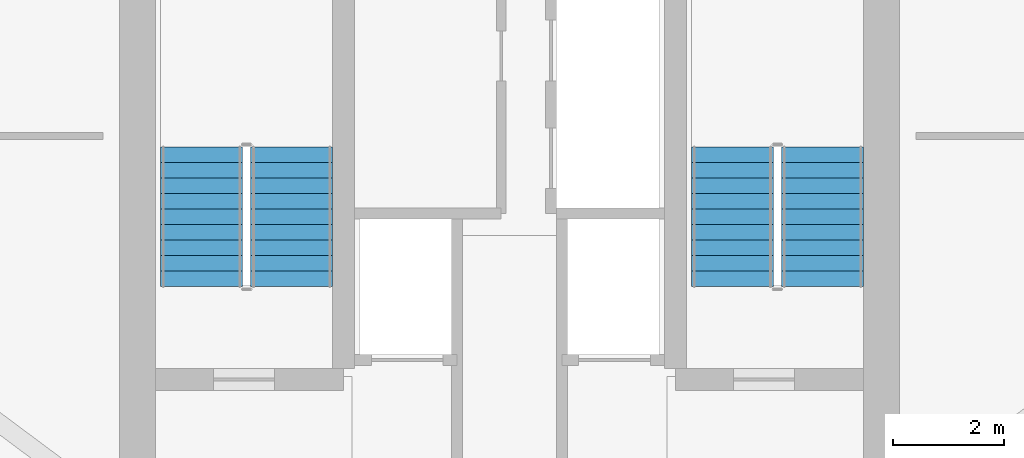
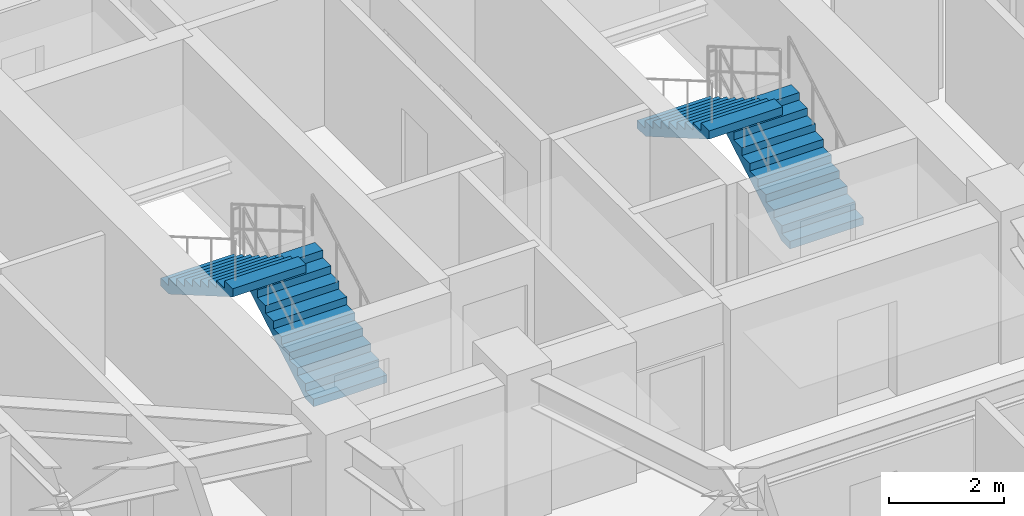
# One storey, part 31 of 33: 4 stair flights, 2 elements without a shape of their own.
"""IFC4 building model written with IfcOpenShell, lengths in metres."""

from ifc_helpers import new_model, si_unit, direction, frame, origin, place, context, subcontext, project, spatial, polyline, outline, extrude, material, type_object, element, aggregate, save


model = new_model("IFC4")

# Units and contexts
model_context = context("Model", 3, precision=1e-05, world=origin(), true_north=direction((0.0, 1.0)))
body_context = subcontext(model_context, "Body", "Model", "MODEL_VIEW")
ifc_project = project(units=[si_unit("LENGTHUNIT", "METRE"), si_unit("AREAUNIT", "SQUARE_METRE"), si_unit("VOLUMEUNIT", "CUBIC_METRE"), si_unit("PLANEANGLEUNIT", "RADIAN"), si_unit("MASSUNIT", "GRAM", prefix="KILO")], contexts=[model_context])

# Site, building, storey
site_placement = place(None, origin())
site = spatial("IfcSite", under=ifc_project, at=site_placement, CompositionType="ELEMENT")
building_placement = place(site_placement, origin())
building = spatial("IfcBuilding", under=site, at=building_placement, Name="Veraguas Prism Commons", CompositionType="ELEMENT")
storey_placement = place(building_placement, frame((0.0, 0.0, 139.25)))
storey = spatial("IfcBuildingStorey", under=building, at=storey_placement, Name="L39", CompositionType="ELEMENT", Elevation=139.25)

# Stair, stair flights
ifc_material = material(Name="Precast concrete C45/55", Category="concrete")
stair_type = type_object("IfcStairType", Name="Dogleg Core Stair 1480W 20R 05", PredefinedType="HALF_TURN_STAIR", material=ifc_material)
stair_1_placement = place(storey_placement, origin())
stair_1 = element("IfcStair", 1, at=stair_1_placement, inside=storey, type_object=stair_type, Name="Protected Exit Stair ST-01 L39", PredefinedType="HALF_TURN_STAIR")
stair_flight_type = type_object("IfcStairFlightType", Name="Precast Stair Flight 1480W 10R 05", PredefinedType="STRAIGHT", material=ifc_material)
stair_flight_1_placement = place(storey_placement, frame((20.06005859375, 21.280029296875, 0.0), z_axis=(0.0, 0.0, 1.0), x_axis=(0.0, 1.0, 0.0)))
stair_flight_1 = element("IfcStairFlight", 2, at=stair_flight_1_placement, type_object=stair_flight_type, Name="ST-05 Flight 1", NumberOfRisers=10, NumberOfTreads=9, PredefinedType="STRAIGHT", RiserHeight=0.1625, TreadLength=0.28, context=body_context, shape_type="SweptSolid", body=[
    extrude(outline(polyline([(0.0, 0.0), (0.0, 0.16259765625), (0.280029296875, 0.16259765625), (0.280029296875, 0.324951171875), (0.56005859375, 0.324951171875), (0.56005859375, 0.487548828125), (0.840087890625, 0.487548828125), (0.840087890625, 0.64990234375), (1.1201171875, 0.64990234375), (1.1201171875, 0.8125), (1.39990234375, 0.8125), (1.39990234375, 0.97509765625), (1.679931640625, 0.97509765625), (1.679931640625, 1.137451171875), (1.9599609375, 1.137451171875), (1.9599609375, 1.300048828125), (2.239990234375, 1.300048828125), (2.239990234375, 1.46240234375), (2.52001953125, 1.46240234375), (2.52001953125, 1.625), (2.52001953125, 1.2890625), (0.298583984375, 0.0), (0.0, 0.0)])), frame((0.0, 0.739990234375, 0.0), z_axis=(0.0, -1.0, 0.0), x_axis=(1.0, 0.0, 0.0)), (0.0, 0.0, 1.0), 1.47998046875),
])
stair_flight_2_placement = place(storey_placement, frame((18.429931640625, 23.800048828125, 1.625), z_axis=(0.0, 0.0, 1.0), x_axis=(0.0, -1.0, 0.0)))
stair_flight_2 = element("IfcStairFlight", 3, at=stair_flight_2_placement, type_object=stair_flight_type, Name="ST-05 Flight 2", NumberOfRisers=10, NumberOfTreads=9, PredefinedType="STRAIGHT", RiserHeight=0.1625, TreadLength=0.28, context=body_context, shape_type="SweptSolid", body=[
    extrude(outline(polyline([(0.0, 0.0), (0.0, 0.16259765625), (0.280029296875, 0.16259765625), (0.280029296875, 0.324951171875), (0.56005859375, 0.324951171875), (0.56005859375, 0.487548828125), (0.840087890625, 0.487548828125), (0.840087890625, 0.64990234375), (1.1201171875, 0.64990234375), (1.1201171875, 0.8125), (1.39990234375, 0.8125), (1.39990234375, 0.97509765625), (1.679931640625, 0.97509765625), (1.679931640625, 1.137451171875), (1.9599609375, 1.137451171875), (1.9599609375, 1.300048828125), (2.239990234375, 1.300048828125), (2.239990234375, 1.46240234375), (2.52001953125, 1.46240234375), (2.52001953125, 1.625), (2.52001953125, 1.2890625), (0.298583984375, 0.0), (0.0, 0.0)])), frame((0.0, 0.739990234375, 0.0), z_axis=(0.0, -1.0, 0.0), x_axis=(1.0, 0.0, 0.0)), (0.0, 0.0, 1.0), 1.47998046875),
])
aggregate(stair_1, [stair_flight_1, stair_flight_2])

stair_2_placement = place(storey_placement, origin())
stair_2 = element("IfcStair", 4, at=stair_2_placement, inside=storey, type_object=stair_type, Name="Protected Exit Stair ST-02 L39", PredefinedType="HALF_TURN_STAIR")
stair_flight_3_placement = place(storey_placement, frame((29.659912109375, 21.280029296875, 0.0), z_axis=(0.0, 0.0, 1.0), x_axis=(0.0, 1.0, 0.0)))
stair_flight_3 = element("IfcStairFlight", 5, at=stair_flight_3_placement, type_object=stair_flight_type, Name="ST-05 Flight 1", NumberOfRisers=10, NumberOfTreads=9, PredefinedType="STRAIGHT", RiserHeight=0.1625, TreadLength=0.28, context=body_context, shape_type="SweptSolid", body=[
    extrude(outline(polyline([(0.0, 0.0), (0.0, 0.16259765625), (0.280029296875, 0.16259765625), (0.280029296875, 0.324951171875), (0.56005859375, 0.324951171875), (0.56005859375, 0.487548828125), (0.840087890625, 0.487548828125), (0.840087890625, 0.64990234375), (1.1201171875, 0.64990234375), (1.1201171875, 0.8125), (1.39990234375, 0.8125), (1.39990234375, 0.97509765625), (1.679931640625, 0.97509765625), (1.679931640625, 1.137451171875), (1.9599609375, 1.137451171875), (1.9599609375, 1.300048828125), (2.239990234375, 1.300048828125), (2.239990234375, 1.46240234375), (2.52001953125, 1.46240234375), (2.52001953125, 1.625), (2.52001953125, 1.2890625), (0.298583984375, 0.0), (0.0, 0.0)])), frame((0.0, 0.739990234375, 0.0), z_axis=(0.0, -1.0, 0.0), x_axis=(1.0, 0.0, 0.0)), (0.0, 0.0, 1.0), 1.47998046875),
])
stair_flight_4_placement = place(storey_placement, frame((28.030029296875, 23.800048828125, 1.625), z_axis=(0.0, 0.0, 1.0), x_axis=(0.0, -1.0, 0.0)))
stair_flight_4 = element("IfcStairFlight", 6, at=stair_flight_4_placement, type_object=stair_flight_type, Name="ST-05 Flight 2", NumberOfRisers=10, NumberOfTreads=9, PredefinedType="STRAIGHT", RiserHeight=0.1625, TreadLength=0.28, context=body_context, shape_type="SweptSolid", body=[
    extrude(outline(polyline([(0.0, 0.0), (0.0, 0.16259765625), (0.280029296875, 0.16259765625), (0.280029296875, 0.324951171875), (0.56005859375, 0.324951171875), (0.56005859375, 0.487548828125), (0.840087890625, 0.487548828125), (0.840087890625, 0.64990234375), (1.1201171875, 0.64990234375), (1.1201171875, 0.8125), (1.39990234375, 0.8125), (1.39990234375, 0.97509765625), (1.679931640625, 0.97509765625), (1.679931640625, 1.137451171875), (1.9599609375, 1.137451171875), (1.9599609375, 1.300048828125), (2.239990234375, 1.300048828125), (2.239990234375, 1.46240234375), (2.52001953125, 1.46240234375), (2.52001953125, 1.625), (2.52001953125, 1.2890625), (0.298583984375, 0.0), (0.0, 0.0)])), frame((0.0, 0.739990234375, 0.0), z_axis=(0.0, -1.0, 0.0), x_axis=(1.0, 0.0, 0.0)), (0.0, 0.0, 1.0), 1.47998046875),
])
aggregate(stair_2, [stair_flight_3, stair_flight_4])

save(model, "model.ifc")
